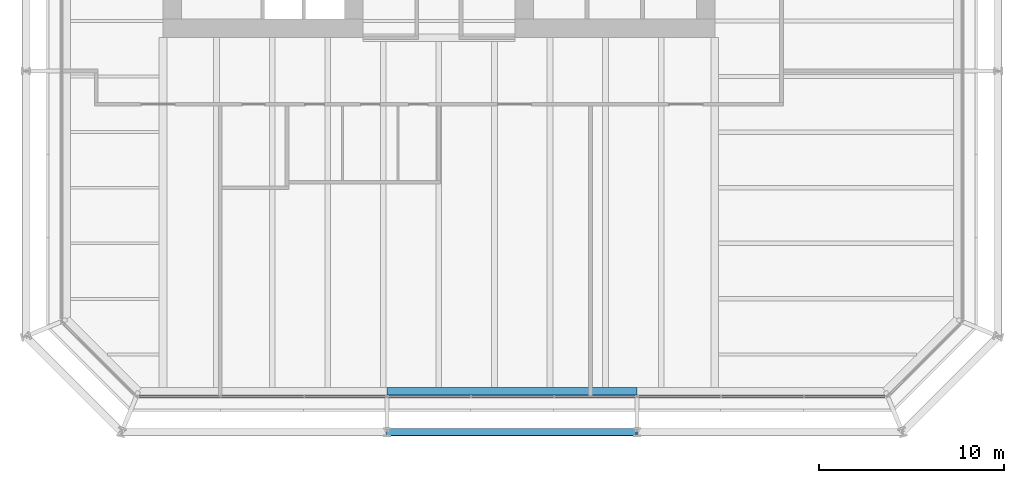
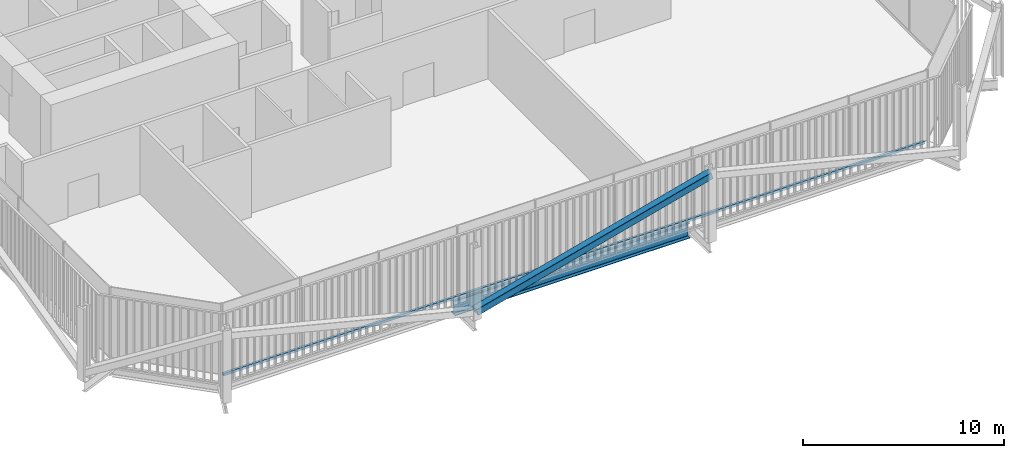
# One storey, part 3 of 21: 2 members, 1 beam, 1 element without a shape of its own.
"""IFC4 building model written with IfcOpenShell, lengths in metres."""

from ifc_helpers import new_model, si_unit, direction, frame, origin, origin_2d, place, context, subcontext, project, spatial, rectangle, hollow_rectangle, i_section, extrude, material, layer, layer_set, material_profile, profile_set, type_object, element, aggregate, save


model = new_model("IFC4")

# Units and contexts
model_context = context("Model", 3, precision=1e-05, world=origin(), true_north=direction((0.0, 1.0)))
body_context = subcontext(model_context, "Body", "Model", "MODEL_VIEW")
ifc_project = project(units=[si_unit("LENGTHUNIT", "METRE"), si_unit("AREAUNIT", "SQUARE_METRE"), si_unit("VOLUMEUNIT", "CUBIC_METRE"), si_unit("PLANEANGLEUNIT", "RADIAN"), si_unit("MASSUNIT", "GRAM", prefix="KILO")], contexts=[model_context])

# Site, building, storey
site_placement = place(None, origin())
site = spatial("IfcSite", under=ifc_project, at=site_placement, CompositionType="ELEMENT")
building_placement = place(site_placement, origin())
building = spatial("IfcBuilding", under=site, at=building_placement, Name="Millrace Tower", CompositionType="ELEMENT")
storey_placement = place(building_placement, frame((0.0, 0.0, 90.800048828125)))
storey = spatial("IfcBuildingStorey", under=building, at=storey_placement, Name="L20", CompositionType="ELEMENT", Elevation=90.800048828125)

# Curtain wall, member
ifc_material_1 = material(Name="Aluminium and glass", Category="aluminium")
ifc_layer = layer(ifc_material_1, 0.14990234375)
ifc_layer_set = layer_set([ifc_layer], Name="Aluminium and glass")
curtain_wall_type = type_object("IfcCurtainWallType", Name="CW-3 telecom floor curtain wall", PredefinedType="NOTDEFINED", material=ifc_layer_set)
curtain_wall_placement = place(storey_placement, origin())
curtain_wall = element("IfcCurtainWall", 1, at=curtain_wall_placement, inside=storey, type_object=curtain_wall_type, Name="Curtain wall B-F02 L20", PredefinedType="NOTDEFINED")
ifc_material_2 = material(Name="Aluminium", Category="aluminium")
ifc_material_profile_1 = material_profile(ifc_material_2, rectangle(XDim=0.14990234375, YDim=0.14990234375, at=origin_2d()))
ifc_profile_set_1 = profile_set([ifc_material_profile_1], Name="Aluminium")
member_type_1 = type_object("IfcMemberType", Name="CW-3 telecom floor curtain wall transom", PredefinedType="USERDEFINED", material=ifc_profile_set_1)
member_1_placement = place(storey_placement, frame((-16.199951171875, -29.27490234375, 0.074951171875), z_axis=(1.0, 0.0, 0.0), x_axis=(0.0, 1.0, 0.0)))
member_1 = element("IfcMember", 2, at=member_1_placement, type_object=member_type_1, Name="CW3 transom B-F02.1", ObjectType="TRANSOM", PredefinedType="USERDEFINED", context=body_context, shape_type="SweptSolid", body=[
    extrude(rectangle(XDim=0.14990234375, YDim=0.14990234375, at=origin_2d()), origin(), (0.0, 0.0, 1.0), 40.300048828125),
])
aggregate(curtain_wall, [member_1])

# Member
ifc_material_3 = material(Name="Steel ASTM A500 Grade C", Category="steel")
ifc_material_profile_2 = material_profile(ifc_material_3, hollow_rectangle(XDim=0.406494140625, YDim=0.406494140625, WallThickness=0.015869140625, InnerFilletRadius=0.008056640625, OuterFilletRadius=0.02392578125, at=origin_2d()))
ifc_profile_set_2 = profile_set([ifc_material_profile_2], Name="Steel ASTM A500 Grade C")
member_type_2 = type_object("IfcMemberType", Name="Exoskeleton brace HSS16x16x5/8", PredefinedType="BRACE", material=ifc_profile_set_2)
member_2_placement = place(storey_placement, frame((-2.800048828125, -31.199951171875, 0.39990234375), z_axis=(0.966233199446, 0.0, 0.257669176053), x_axis=(0.0, 1.0, 0.0)))
element("IfcMember", 3, at=member_2_placement, inside=storey, type_object=member_type_2, Name="BRC-B-L20-03", PredefinedType="BRACE", context=body_context, shape_type="SweptSolid", body=[
    extrude(hollow_rectangle(XDim=0.406494140625, YDim=0.406494140625, WallThickness=0.015869140625, InnerFilletRadius=0.008056640625, OuterFilletRadius=0.02392578125, at=origin_2d()), origin(), (0.0, 0.0, 1.0), 13.9716796875),
])

# Beam
ifc_material_4 = material(Name="Steel ASTM A992 Grade 50", Category="steel")
ifc_material_profile_3 = material_profile(ifc_material_4, i_section(OverallWidth=0.419189453125, OverallDepth=0.927001953125, WebThickness=0.019287109375, FlangeThickness=0.031982421875, FilletRadius=0.024169921875, at=origin_2d()))
ifc_profile_set_3 = profile_set([ifc_material_profile_3], Name="Steel ASTM A992 Grade 50")
beam_type = type_object("IfcBeamType", Name="Ring beam medium span W36x231", PredefinedType="SPANDREL", material=ifc_profile_set_3)
beam_placement = place(storey_placement, frame((10.699951171875, -28.990478515625, -0.66357421875), z_axis=(-1.0, 0.0, 0.0), x_axis=(0.0, -1.0, 0.0)))
element("IfcBeam", 4, at=beam_placement, inside=storey, type_object=beam_type, Name="RNG-B-L20-S1-14", PredefinedType="SPANDREL", context=body_context, shape_type="SweptSolid", body=[
    extrude(i_section(OverallWidth=0.419189453125, OverallDepth=0.927001953125, WebThickness=0.019287109375, FlangeThickness=0.031982421875, FilletRadius=0.024169921875, at=origin_2d()), origin(), (0.0, 0.0, 1.0), 13.5),
])

save(model, "model.ifc")
